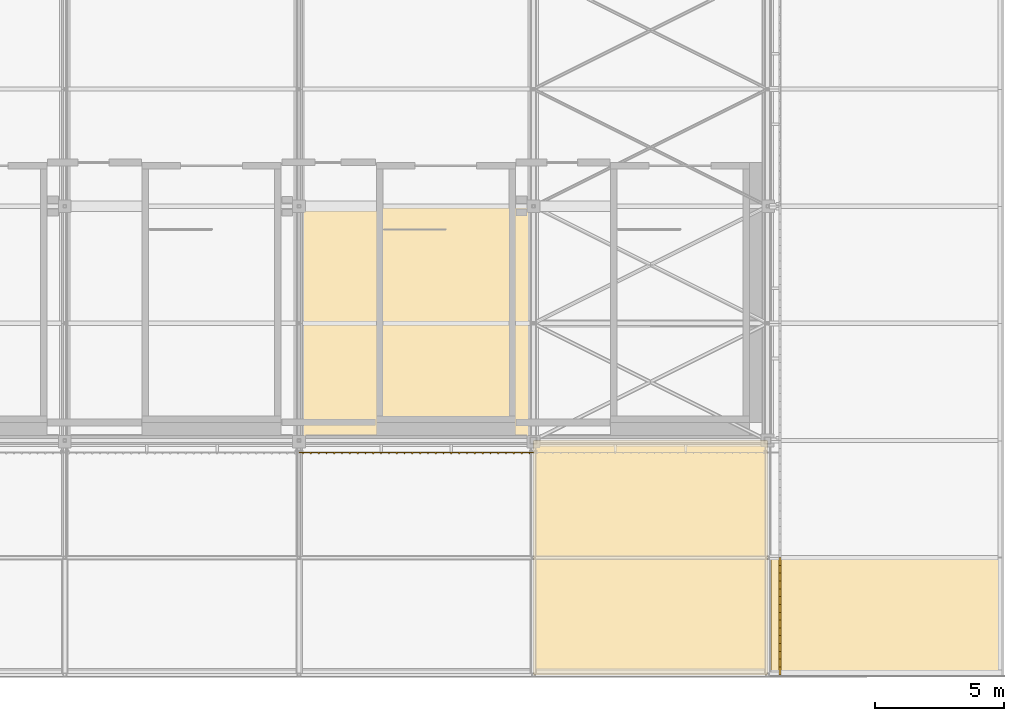
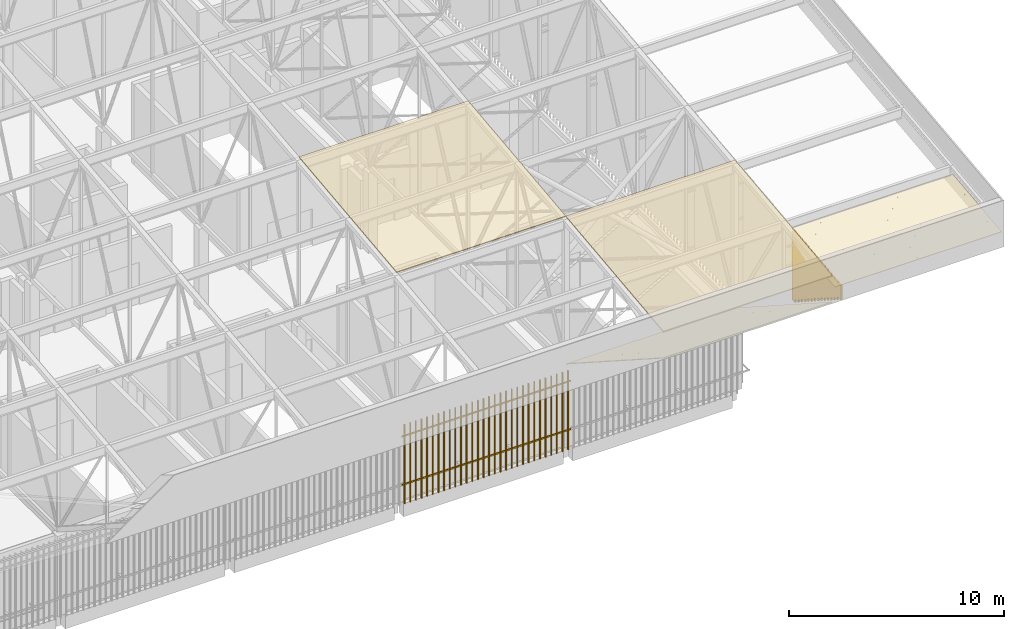
# One storey, part 485 of 500: 4 coverings, 2 shading devices.
"""IFC4 building model written with IfcOpenShell, lengths in metres."""

import ifcopenshell
import ifcopenshell.guid

model = None  # the IFC model being written
_history = None  # IfcOwnerHistory: only IFC2X3 demands one
_inside = {}  # id of a spatial element -> (the spatial element, [elements in it])
_under = {}  # id of a project, library or spatial element -> (it, [spatial elements below it])
_declared = {}  # id of a project -> (the project, [libraries it declares])
_typed = {}  # id of a type object -> (the type object, [elements of that type])
_made_of = {}  # id of a material, layer set ... -> (it, [elements and type objects made of it])


def new_model(schema):
    """Start an empty IFC model of exactly this schema.

    Asked for "IFC4X3", IfcOpenShell would pick the latest addendum, in which some entities
    have other attributes; the version numbers below select the first issue.
    IFC2X3 requires an IfcOwnerHistory on every rooted entity: one is made here for all.
    """
    global model, _history
    if schema == "IFC4X3":
        model = ifcopenshell.file(schema_version=(4, 3, 0, 0))
    else:
        model = ifcopenshell.file(schema=schema)
    _inside.clear()
    _under.clear()
    _declared.clear()
    _typed.clear()
    _made_of.clear()
    _history = None
    if model.schema == "IFC2X3":
        org = make("IfcOrganization", Name="unknown")
        user = make(
            "IfcPersonAndOrganization",
            ThePerson=make("IfcPerson", FamilyName="unknown"),
            TheOrganization=org,
        )
        app = make(
            "IfcApplication",
            ApplicationDeveloper=org,
            Version="unknown",
            ApplicationFullName="unknown",
            ApplicationIdentifier="unknown",
        )
        _history = make(
            "IfcOwnerHistory",
            OwningUser=user,
            OwningApplication=app,
            ChangeAction="ADDED",
            CreationDate=0,
        )
    return model


def make(cls, **values):
    """One entity of the class cls with the attributes given. An attribute that is None is left unset."""
    return model.create_entity(
        cls, **{name: value for name, value in values.items() if value is not None}
    )


def rooted(cls, **values):
    """An entity with a GlobalId (a new one), such as an element, a storey or a relation."""
    return make(cls, GlobalId=ifcopenshell.guid.new(), OwnerHistory=_history, **values)


def si_unit(unit_type, name, prefix=None):
    """IfcSIUnit, for example si_unit("LENGTHUNIT", "METRE", prefix="MILLI")."""
    return make("IfcSIUnit", UnitType=unit_type, Prefix=prefix, Name=name)


def assignment(units):
    """IfcUnitAssignment: the units of a project."""
    return None if units is None else make("IfcUnitAssignment", Units=units)


def point(xyz):
    """IfcCartesianPoint."""
    return None if xyz is None else make("IfcCartesianPoint", Coordinates=xyz)


def direction(xyz):
    """IfcDirection."""
    return None if xyz is None else make("IfcDirection", DirectionRatios=xyz)


def frame(location, z_axis=None, x_axis=None):
    """IfcAxis2Placement3D, a coordinate frame: its origin and axes. An axis left out is left unset."""
    return make(
        "IfcAxis2Placement3D",
        Location=point(location),
        Axis=direction(z_axis),
        RefDirection=direction(x_axis),
    )


def frame_2d(location, x_axis=None):
    """IfcAxis2Placement2D, a coordinate frame in the plane: its origin and x axis."""
    return make(
        "IfcAxis2Placement2D", Location=point(location), RefDirection=direction(x_axis)
    )


def origin():
    """The frame at (0, 0, 0) with its axes left unset."""
    return frame((0.0, 0.0, 0.0))


def origin_2d():
    """The frame at (0, 0) in the plane with its x axis left unset."""
    return frame_2d((0.0, 0.0))


def place(relative_to, where):
    """IfcLocalPlacement: puts the frame where relative to a parent placement (None: the world)."""
    return make(
        "IfcLocalPlacement", PlacementRelTo=relative_to, RelativePlacement=where
    )


def context(
    kind, dimensions, precision=None, world=None, true_north=None, identifier=None
):
    """IfcGeometricRepresentationContext, for example the 3D "Model" context."""
    return make(
        "IfcGeometricRepresentationContext",
        ContextIdentifier=identifier,
        ContextType=kind,
        CoordinateSpaceDimension=dimensions,
        Precision=precision,
        WorldCoordinateSystem=world,
        TrueNorth=true_north,
    )


def subcontext(parent, identifier, kind, view, scale=None):
    """IfcGeometricRepresentationSubContext, for example "Body" below "Model"."""
    return make(
        "IfcGeometricRepresentationSubContext",
        ContextIdentifier=identifier,
        ContextType=kind,
        ParentContext=parent,
        TargetScale=scale,
        TargetView=view,
    )


def project(units=None, contexts=None):
    """IfcProject with its units and contexts."""
    return rooted(
        "IfcProject",
        Name="project",
        RepresentationContexts=contexts,
        UnitsInContext=assignment(units),
    )


def spatial(cls, under=None, at=None, **own):
    """A site, building, storey or space (cls), placed at a placement, below another one or the project."""
    s = rooted(cls, ObjectPlacement=at, **own)
    if under is not None:
        _under.setdefault(under.id(), (under, []))[1].append(s)
    return s


def polyline(points):
    """IfcPolyline through the points."""
    return make("IfcPolyline", Points=[point(p) for p in points])


def profile(cls, at=None, kind="AREA", **sizes):
    """A parametric profile (cls). Its sizes go by their IFC names, for example OverallWidth=200.0."""
    return make(cls, ProfileType=kind, Position=at, **sizes)


def rectangle(**sizes):
    """IfcRectangleProfileDef."""
    return profile("IfcRectangleProfileDef", **sizes)


def outline(outer, holes=None, kind="AREA"):
    """IfcArbitraryClosedProfileDef: a profile drawn as a closed curve; with holes, ...WithVoids."""
    if holes is None:
        return make("IfcArbitraryClosedProfileDef", ProfileType=kind, OuterCurve=outer)
    return make(
        "IfcArbitraryProfileDefWithVoids",
        ProfileType=kind,
        OuterCurve=outer,
        InnerCurves=holes,
    )


def extrude(swept, where, along, depth):
    """IfcExtrudedAreaSolid: the profile swept, set in the frame where, extruded along a direction by depth."""
    return make(
        "IfcExtrudedAreaSolid",
        SweptArea=swept,
        Position=where,
        ExtrudedDirection=direction(along),
        Depth=depth,
    )


def shape(context_of_items, identifier, shape_type, items):
    """IfcShapeRepresentation: the items that make up one representation, for example the "Body"."""
    return make(
        "IfcShapeRepresentation",
        ContextOfItems=context_of_items,
        RepresentationIdentifier=identifier,
        RepresentationType=shape_type,
        Items=items,
    )


def material(Name=None, Category=None):
    """IfcMaterial."""
    return make("IfcMaterial", Name=Name, Category=Category)


def layer(
    of_material, thickness, ventilated=None, Name=None, Category=None, Priority=None
):
    """IfcMaterialLayer: one layer of a wall or slab, of a material (None: an air gap)."""
    return make(
        "IfcMaterialLayer",
        Material=of_material,
        LayerThickness=thickness,
        IsVentilated=ventilated,
        Name=Name,
        Category=Category,
        Priority=Priority,
    )


def layer_set(layers, Name=None):
    """IfcMaterialLayerSet."""
    return make("IfcMaterialLayerSet", MaterialLayers=layers, LayerSetName=Name)


def made_of(thing, what):
    """Note that an element or type object is made of a material, layer set ...; save() writes the relation."""
    if what is not None:
        _made_of.setdefault(what.id(), (what, []))[1].append(thing)
    return thing


def type_object(cls, material=None, **own):
    """A type object (cls), such as IfcWallType, which elements share."""
    return made_of(rooted(cls, **own), material)


def element(
    cls,
    number,
    at=None,
    inside=None,
    cuts=None,
    type_object=None,
    material=None,
    context=None,
    identifier="Body",
    shape_type=None,
    held_by="IfcProductDefinitionShape",
    body=None,
    shapes=None,
    **own,
):
    """One element of the class cls, such as IfcWall. Its Tag is "e" and its number.

    at: its placement. inside: the storey or other place that contains it. cuts: it is an
    opening in that element (IfcRelVoidsElement). A single representation is given by context,
    identifier, shape_type and body (its items); several are given by shapes. held_by: the class
    of the entity that holds the representations. save() writes the other relations.
    """
    e = rooted(cls, Tag="e%d" % number, ObjectPlacement=at, **own)
    if body is not None:
        shapes = [shape(context, identifier, shape_type, body)]
    if shapes is not None:
        e.Representation = make(held_by, Representations=shapes)
    if inside is not None:
        _inside.setdefault(inside.id(), (inside, []))[1].append(e)
    if cuts is not None:
        rooted(
            "IfcRelVoidsElement", RelatingBuildingElement=cuts, RelatedOpeningElement=e
        )
    if type_object is not None:
        _typed.setdefault(type_object.id(), (type_object, []))[1].append(e)
    return made_of(e, material)


def aggregate(whole, parts):
    """IfcRelAggregates: a whole, such as a stair, and the parts it consists of."""
    return rooted("IfcRelAggregates", RelatingObject=whole, RelatedObjects=parts)


def save(model, path):
    """Write the relations noted so far, then the file.

    IfcRelAggregates (storeys below a building ...), IfcRelContainedInSpatialStructure (elements
    in a storey), IfcRelDefinesByType, IfcRelAssociatesMaterial and IfcRelDeclares: one each for
    every whole, place, type object, material and project.
    """
    for whole, parts in _under.values():
        aggregate(whole, parts)
    for where, things in _inside.values():
        rooted(
            "IfcRelContainedInSpatialStructure",
            RelatedElements=things,
            RelatingStructure=where,
        )
    for kind, things in _typed.values():
        rooted("IfcRelDefinesByType", RelatedObjects=things, RelatingType=kind)
    for what, things in _made_of.values():
        rooted("IfcRelAssociatesMaterial", RelatedObjects=things, RelatingMaterial=what)
    for by, libraries in _declared.values():
        rooted("IfcRelDeclares", RelatingContext=by, RelatedDefinitions=libraries)
    model.write(path)


model = new_model("IFC4")

# Units and contexts
model_context = context("Model", 3, precision=1e-05, world=origin(), true_north=direction((0.0, 1.0)))
body_context = subcontext(model_context, "Body", "Model", "MODEL_VIEW")
ifc_project = project(units=[si_unit("LENGTHUNIT", "METRE"), si_unit("AREAUNIT", "SQUARE_METRE"), si_unit("VOLUMEUNIT", "CUBIC_METRE"), si_unit("PLANEANGLEUNIT", "RADIAN"), si_unit("MASSUNIT", "GRAM", prefix="KILO")], contexts=[model_context])

# Site, building, storey
site_placement = place(None, origin())
site = spatial("IfcSite", under=ifc_project, at=site_placement, CompositionType="ELEMENT")
building_placement = place(site_placement, origin())
building = spatial("IfcBuilding", under=site, at=building_placement, Name="Shirokan Park Arena", CompositionType="ELEMENT")
storey_placement = place(building_placement, frame((0.0, 0.0, 29.1201171875)))
storey = spatial("IfcBuildingStorey", under=building, at=storey_placement, Name="L06", CompositionType="ELEMENT", Elevation=29.1201171875)

# Coverings
ifc_material_1 = material(Name="Bituminous roofing membrane")
ifc_layer_1 = layer(ifc_material_1, 0.010009765625, Name="Bituminous roofing membrane")
ifc_material_2 = material(Name="Mineral wool insulation")
ifc_layer_2 = layer(ifc_material_2, 0.050048828125, Name="Mineral wool insulation")
ifc_layer_set_1 = layer_set([ifc_layer_1, ifc_layer_2], Name="Bituminous roofing membrane + Mineral wool insulation")
covering_type_1 = type_object("IfcCoveringType", Name="Roofing membrane 60", PredefinedType="ROOFING", material=ifc_layer_set_1)
for number, where, z_axis, x_axis, name in (
    (1, (127.39990234375, 0.0, 12.9306640625), (0.0, -0.113549598152, 0.993532328996), (1.0, 0.0, 0.0), "Roofing"),
    (2, (136.5, -9.10009765625, 11.890625), (0.0, -0.113549598152, 0.993532328996), (1.0, 0.0, 0.0), "Roofing"),
):
    element("IfcCovering", number, at=place(storey_placement, frame(where, z_axis=z_axis, x_axis=x_axis)), inside=storey, type_object=covering_type_1, Name=name, PredefinedType="ROOFING", context=body_context, shape_type="SweptSolid", body=[
        extrude(outline(polyline([(0.0, 0.0), (9.10009765625, 0.0), (9.10009765625, 9.15933723611117), (0.0, 9.15933723611117), (0.0, 0.0)])), origin(), (0.0, 0.0, -1.0), 0.06005859375),
    ])
ifc_material_3 = material(Name="Timber soffit boards (cedar)", Category="wood")
ifc_layer_3 = layer(ifc_material_3, 0.030029296875)
ifc_layer_set_2 = layer_set([ifc_layer_3], Name="Timber soffit boards (cedar) 30 mm")
covering_type_2 = type_object("IfcCoveringType", Name="Timber boarded soffit panel", PredefinedType="CLADDING", material=ifc_layer_set_2)
covering_1_placement = place(storey_placement, origin())
element("IfcCovering", 3, at=covering_1_placement, inside=storey, type_object=covering_type_2, Name="Eave soffit south bay 16", PredefinedType="CLADDING", context=body_context, shape_type="SweptSolid", body=[
    extrude(outline(polyline([(0.0, 0.0), (0.14269332184794056, 0.0), (0.14269332184794056, -9.099999999999996), (0.0, -9.099999999999996), (0.0, 0.0)])), frame((145.60009765625, -8.97998046875, 10.3037109375), z_axis=(0.0, 0.541090493936, 0.840964373427), x_axis=(0.0, -0.840964373427, 0.541090493936)), (0.0, 0.0, -1.0), 0.030029296875),
    extrude(outline(polyline([(0.0, 0.0), (0.1426933218479412, 0.0), (0.1426933218479412, -9.099999999999994), (0.0, -9.099999999999994), (0.0, 0.0)])), frame((136.5, -0.1201171875, 4.60302734375), z_axis=(0.0, 0.541090493936, 0.840964373427), x_axis=(0.0, 0.840964373427, -0.541090493936)), (0.0, 0.0, -1.0), 0.030029296875),
    extrude(outline(polyline([(0.0, 0.0), (0.12000000000000455, 0.0), (0.12000000000000455, -10.535473996759707), (0.0, -10.535473996759707), (0.0, 0.0)])), frame((145.60009765625, -8.97998046875, 10.3037109375), z_axis=(0.0, 0.541084340558, 0.84096833258), x_axis=(-1.0, 0.0, 0.0)), (0.0, 0.0, -1.0), 0.030029296875),
    extrude(outline(polyline([(0.0, 0.0), (0.12000000000000455, 0.0), (0.12000000000000455, -10.535473996759707), (0.0, -10.535473996759707), (0.0, 0.0)])), frame((136.5, -0.1201171875, 4.60302734375), z_axis=(0.0, 0.541084340558, 0.84096833258), x_axis=(1.0, 0.0, 0.0)), (0.0, 0.0, -1.0), 0.030029296875),
    extrude(outline(polyline([(0.0, 0.0), (10.535473996759709, 0.0), (10.535473996759709, -0.18332999999998378), (0.0, -0.18332999999998378), (0.0, 0.0)])), frame((136.6201171875, -8.97998046875, 10.3037109375), z_axis=(0.0, 0.541084340558, 0.84096833258), x_axis=(0.0, 0.84096833258, -0.541084340558)), (0.0, 0.0, -1.0), 0.030029296875),
    extrude(outline(polyline([(0.0, 0.0), (10.535473996759709, 0.0), (10.535473996759709, -0.3033400000000199), (0.0, -0.3033400000000199), (0.0, 0.0)])), frame((136.80322265625, -8.97998046875, 10.3037109375), z_axis=(0.0, 0.541084340558, 0.84096833258), x_axis=(0.0, 0.84096833258, -0.541084340558)), (0.0, 0.0, -1.0), 0.030029296875),
    extrude(outline(polyline([(0.0, 0.0), (10.535473996759707, 0.0), (10.535473996759707, -0.30332999999998833), (0.0, -0.30332999999998833), (0.0, 0.0)])), frame((137.106689453125, -8.97998046875, 10.3037109375), z_axis=(0.0, 0.541084340558, 0.84096833258), x_axis=(0.0, 0.84096833258, -0.541084340558)), (0.0, 0.0, -1.0), 0.030029296875),
    extrude(outline(polyline([(0.0, 0.0), (10.535473996759707, 0.0), (10.535473996759707, -0.3033300000000167), (0.0, -0.3033300000000167), (0.0, 0.0)])), frame((137.409912109375, -8.97998046875, 10.3037109375), z_axis=(0.0, 0.541084340558, 0.84096833258), x_axis=(0.0, 0.84096833258, -0.541084340558)), (0.0, 0.0, -1.0), 0.030029296875),
    extrude(outline(polyline([(0.0, 0.0), (10.535473996759707, 0.0), (10.535473996759707, -0.3033399999999915), (0.0, -0.3033399999999915), (0.0, 0.0)])), frame((137.71337890625, -8.97998046875, 10.3037109375), z_axis=(0.0, 0.541084340558, 0.84096833258), x_axis=(0.0, 0.84096833258, -0.541084340558)), (0.0, 0.0, -1.0), 0.030029296875),
    extrude(outline(polyline([(0.0, 0.0), (10.535473996759707, 0.0), (10.535473996759707, -0.30332999999998833), (0.0, -0.30332999999998833), (0.0, 0.0)])), frame((138.0166015625, -8.97998046875, 10.3037109375), z_axis=(0.0, 0.541084340558, 0.84096833258), x_axis=(0.0, 0.84096833258, -0.541084340558)), (0.0, 0.0, -1.0), 0.030029296875),
    extrude(outline(polyline([(0.0, 0.0), (10.535473996759707, 0.0), (10.535473996759707, -0.30333000000001675), (0.0, -0.30333000000001675), (0.0, 0.0)])), frame((138.320068359375, -8.97998046875, 10.3037109375), z_axis=(0.0, 0.541084340558, 0.84096833258), x_axis=(0.0, 0.84096833258, -0.541084340558)), (0.0, 0.0, -1.0), 0.030029296875),
    extrude(outline(polyline([(0.0, 0.0), (10.535473996759707, 0.0), (10.535473996759707, -0.3033399999999915), (0.0, -0.3033399999999915), (0.0, 0.0)])), frame((138.623291015625, -8.97998046875, 10.3037109375), z_axis=(0.0, 0.541084340558, 0.84096833258), x_axis=(0.0, 0.84096833258, -0.541084340558)), (0.0, 0.0, -1.0), 0.030029296875),
    extrude(outline(polyline([(0.0, 0.0), (10.535473996759707, 0.0), (10.535473996759707, -0.30332999999998833), (0.0, -0.30332999999998833), (0.0, 0.0)])), frame((138.9267578125, -8.97998046875, 10.3037109375), z_axis=(0.0, 0.541084340558, 0.84096833258), x_axis=(0.0, 0.84096833258, -0.541084340558)), (0.0, 0.0, -1.0), 0.030029296875),
    extrude(outline(polyline([(0.0, 0.0), (10.535473996759707, 0.0), (10.535473996759707, -0.30333000000001675), (0.0, -0.30333000000001675), (0.0, 0.0)])), frame((139.22998046875, -8.97998046875, 10.3037109375), z_axis=(0.0, 0.541084340558, 0.84096833258), x_axis=(0.0, 0.84096833258, -0.541084340558)), (0.0, 0.0, -1.0), 0.030029296875),
    extrude(outline(polyline([(0.0, 0.0), (10.535473996759707, 0.0), (10.535473996759707, -0.3033399999999915), (0.0, -0.3033399999999915), (0.0, 0.0)])), frame((139.533447265625, -8.97998046875, 10.3037109375), z_axis=(0.0, 0.541084340558, 0.84096833258), x_axis=(0.0, 0.84096833258, -0.541084340558)), (0.0, 0.0, -1.0), 0.030029296875),
    extrude(outline(polyline([(0.0, 0.0), (10.535473996759707, 0.0), (10.535473996759707, -0.30332999999998833), (0.0, -0.30332999999998833), (0.0, 0.0)])), frame((139.836669921875, -8.97998046875, 10.3037109375), z_axis=(0.0, 0.541084340558, 0.84096833258), x_axis=(0.0, 0.84096833258, -0.541084340558)), (0.0, 0.0, -1.0), 0.030029296875),
    extrude(outline(polyline([(0.0, 0.0), (10.535473996759707, 0.0), (10.535473996759707, -0.30333000000001675), (0.0, -0.30333000000001675), (0.0, 0.0)])), frame((140.139892578125, -8.97998046875, 10.3037109375), z_axis=(0.0, 0.541084340558, 0.84096833258), x_axis=(0.0, 0.84096833258, -0.541084340558)), (0.0, 0.0, -1.0), 0.030029296875),
    extrude(outline(polyline([(0.0, 0.0), (10.535473996759707, 0.0), (10.535473996759707, -0.3033399999999915), (0.0, -0.3033399999999915), (0.0, 0.0)])), frame((140.443359375, -8.97998046875, 10.3037109375), z_axis=(0.0, 0.541084340558, 0.84096833258), x_axis=(0.0, 0.84096833258, -0.541084340558)), (0.0, 0.0, -1.0), 0.030029296875),
    extrude(outline(polyline([(0.0, 0.0), (10.535473996759707, 0.0), (10.535473996759707, -0.30333000000001675), (0.0, -0.30333000000001675), (0.0, 0.0)])), frame((140.74658203125, -8.97998046875, 10.3037109375), z_axis=(0.0, 0.541084340558, 0.84096833258), x_axis=(0.0, 0.84096833258, -0.541084340558)), (0.0, 0.0, -1.0), 0.030029296875),
    extrude(outline(polyline([(0.0, 0.0), (10.535473996759707, 0.0), (10.535473996759707, -0.30332999999998833), (0.0, -0.30332999999998833), (0.0, 0.0)])), frame((141.050048828125, -8.97998046875, 10.3037109375), z_axis=(0.0, 0.541084340558, 0.84096833258), x_axis=(0.0, 0.84096833258, -0.541084340558)), (0.0, 0.0, -1.0), 0.030029296875),
    extrude(outline(polyline([(0.0, 0.0), (10.535473996759707, 0.0), (10.535473996759707, -0.3033399999999915), (0.0, -0.3033399999999915), (0.0, 0.0)])), frame((141.353271484375, -8.97998046875, 10.3037109375), z_axis=(0.0, 0.541084340558, 0.84096833258), x_axis=(0.0, 0.84096833258, -0.541084340558)), (0.0, 0.0, -1.0), 0.030029296875),
    extrude(outline(polyline([(0.0, 0.0), (10.535473996759707, 0.0), (10.535473996759707, -0.30333000000001675), (0.0, -0.30333000000001675), (0.0, 0.0)])), frame((141.65673828125, -8.97998046875, 10.3037109375), z_axis=(0.0, 0.541084340558, 0.84096833258), x_axis=(0.0, 0.84096833258, -0.541084340558)), (0.0, 0.0, -1.0), 0.030029296875),
    extrude(outline(polyline([(0.0, 0.0), (10.535473996759707, 0.0), (10.535473996759707, -0.30332999999998833), (0.0, -0.30332999999998833), (0.0, 0.0)])), frame((141.9599609375, -8.97998046875, 10.3037109375), z_axis=(0.0, 0.541084340558, 0.84096833258), x_axis=(0.0, 0.84096833258, -0.541084340558)), (0.0, 0.0, -1.0), 0.030029296875),
    extrude(outline(polyline([(0.0, 0.0), (10.535473996759707, 0.0), (10.535473996759707, -0.3033399999999915), (0.0, -0.3033399999999915), (0.0, 0.0)])), frame((142.263427734375, -8.97998046875, 10.3037109375), z_axis=(0.0, 0.541084340558, 0.84096833258), x_axis=(0.0, 0.84096833258, -0.541084340558)), (0.0, 0.0, -1.0), 0.030029296875),
    extrude(outline(polyline([(0.0, 0.0), (10.535473996759707, 0.0), (10.535473996759707, -0.30333000000001675), (0.0, -0.30333000000001675), (0.0, 0.0)])), frame((142.566650390625, -8.97998046875, 10.3037109375), z_axis=(0.0, 0.541084340558, 0.84096833258), x_axis=(0.0, 0.84096833258, -0.541084340558)), (0.0, 0.0, -1.0), 0.030029296875),
    extrude(outline(polyline([(0.0, 0.0), (10.535473996759707, 0.0), (10.535473996759707, -0.30332999999998833), (0.0, -0.30332999999998833), (0.0, 0.0)])), frame((142.8701171875, -8.97998046875, 10.3037109375), z_axis=(0.0, 0.541084340558, 0.84096833258), x_axis=(0.0, 0.84096833258, -0.541084340558)), (0.0, 0.0, -1.0), 0.030029296875),
    extrude(outline(polyline([(0.0, 0.0), (10.535473996759709, 0.0), (10.535473996759709, -0.3033400000000199), (0.0, -0.3033400000000199), (0.0, 0.0)])), frame((143.17333984375, -8.97998046875, 10.3037109375), z_axis=(0.0, 0.541084340558, 0.84096833258), x_axis=(0.0, 0.84096833258, -0.541084340558)), (0.0, 0.0, -1.0), 0.030029296875),
    extrude(outline(polyline([(0.0, 0.0), (10.535473996759707, 0.0), (10.535473996759707, -0.30332999999998833), (0.0, -0.30332999999998833), (0.0, 0.0)])), frame((143.4765625, -8.97998046875, 10.3037109375), z_axis=(0.0, 0.541084340558, 0.84096833258), x_axis=(0.0, 0.84096833258, -0.541084340558)), (0.0, 0.0, -1.0), 0.030029296875),
    extrude(outline(polyline([(0.0, 0.0), (10.535473996759707, 0.0), (10.535473996759707, -0.30332999999998833), (0.0, -0.30332999999998833), (0.0, 0.0)])), frame((143.780029296875, -8.97998046875, 10.3037109375), z_axis=(0.0, 0.541084340558, 0.84096833258), x_axis=(0.0, 0.84096833258, -0.541084340558)), (0.0, 0.0, -1.0), 0.030029296875),
    extrude(outline(polyline([(0.0, 0.0), (10.535473996759709, 0.0), (10.535473996759709, -0.3033400000000199), (0.0, -0.3033400000000199), (0.0, 0.0)])), frame((144.083251953125, -8.97998046875, 10.3037109375), z_axis=(0.0, 0.541084340558, 0.84096833258), x_axis=(0.0, 0.84096833258, -0.541084340558)), (0.0, 0.0, -1.0), 0.030029296875),
    extrude(outline(polyline([(0.0, 0.0), (10.535473996759707, 0.0), (10.535473996759707, -0.30332999999998833), (0.0, -0.30332999999998833), (0.0, 0.0)])), frame((144.38671875, -8.97998046875, 10.3037109375), z_axis=(0.0, 0.541084340558, 0.84096833258), x_axis=(0.0, 0.84096833258, -0.541084340558)), (0.0, 0.0, -1.0), 0.030029296875),
    extrude(outline(polyline([(0.0, 0.0), (10.535473996759707, 0.0), (10.535473996759707, -0.30332999999998833), (0.0, -0.30332999999998833), (0.0, 0.0)])), frame((144.68994140625, -8.97998046875, 10.3037109375), z_axis=(0.0, 0.541084340558, 0.84096833258), x_axis=(0.0, 0.84096833258, -0.541084340558)), (0.0, 0.0, -1.0), 0.030029296875),
    extrude(outline(polyline([(0.0, 0.0), (10.535473996759709, 0.0), (10.535473996759709, -0.3033400000000199), (0.0, -0.3033400000000199), (0.0, 0.0)])), frame((144.993408203125, -8.97998046875, 10.3037109375), z_axis=(0.0, 0.541084340558, 0.84096833258), x_axis=(0.0, 0.84096833258, -0.541084340558)), (0.0, 0.0, -1.0), 0.030029296875),
    extrude(outline(polyline([(0.0, 0.0), (10.535473996759709, 0.0), (10.535473996759709, -0.18332999999998378), (0.0, -0.18332999999998378), (0.0, 0.0)])), frame((145.296630859375, -8.97998046875, 10.3037109375), z_axis=(0.0, 0.541084340558, 0.84096833258), x_axis=(0.0, 0.84096833258, -0.541084340558)), (0.0, 0.0, -1.0), 0.030029296875),
])
covering_2_placement = place(storey_placement, origin())
element("IfcCovering", 4, at=covering_2_placement, inside=storey, type_object=covering_type_2, Name="Rake soffit east bay 1", PredefinedType="CLADDING", context=body_context, shape_type="SweptSolid", body=[
    extrude(outline(polyline([(0.0, 0.0), (0.12000000000000455, 0.0), (0.12000000000000455, -4.579617887990221), (0.0, -4.579617887990221), (0.0, 0.0)])), frame((145.846923828125, -9.10009765625, 11.181884765625), z_axis=(0.0, -0.113546591161, 0.993532672656), x_axis=(-1.0, 0.0, 0.0)), (0.0, 0.0, -1.0), 0.030029296875),
    extrude(outline(polyline([(0.0, 0.0), (0.11999999999997613, 0.0), (0.11999999999997613, -4.57961788799022), (0.0, -4.57961788799022), (0.0, 0.0)])), frame((154.580078125, -4.550048828125, 11.701904296875), z_axis=(0.0, -0.113546591161, 0.993532672656), x_axis=(1.0, 0.0, 0.0)), (0.0, 0.0, -1.0), 0.030029296875),
    extrude(outline(polyline([(0.0, 0.0), (0.12078064455863827, 0.0), (0.12078064455863827, -8.733000000000002), (0.0, -8.733000000000002), (0.0, 0.0)])), frame((154.580078125, -4.550048828125, 11.701904296875), z_axis=(0.0, -0.11351156512, 0.993536675007), x_axis=(0.0, -0.993536675007, -0.11351156512)), (0.0, 0.0, -1.0), 0.030029296875),
    extrude(outline(polyline([(0.0, 0.0), (0.12078064455863738, 0.0), (0.12078064455863738, -8.733000000000002), (0.0, -8.733000000000002), (0.0, 0.0)])), frame((145.846923828125, -9.10009765625, 11.181884765625), z_axis=(0.0, -0.11351156512, 0.993536675007), x_axis=(0.0, 0.993536675007, 0.11351156512)), (0.0, 0.0, -1.0), 0.030029296875),
    extrude(outline(polyline([(0.0, 0.0), (8.733000000000004, 0.0), (8.733000000000004, -0.1845242816000098), (0.0, -0.1845242816000098), (0.0, 0.0)])), frame((154.580078125, -8.97998046875, 11.195556640625), z_axis=(0.0, -0.113589386818, 0.99352778079), x_axis=(-1.0, 0.0, 0.0)), (0.0, 0.0, -1.0), 0.030029296875),
    extrude(outline(polyline([(0.0, 0.0), (8.733000000000004, 0.0), (8.733000000000004, -0.3053137258624322), (0.0, -0.3053137258624322), (0.0, 0.0)])), frame((154.580078125, -8.796630859375, 11.216552734375), z_axis=(0.0, -0.113522573877, 0.993535417195), x_axis=(-1.0, 0.0, 0.0)), (0.0, 0.0, -1.0), 0.030029296875),
    extrude(outline(polyline([(0.0, 0.0), (8.733000000000004, 0.0), (8.733000000000004, -0.30530492593471265), (0.0, -0.30530492593471265), (0.0, 0.0)])), frame((154.580078125, -8.493408203125, 11.251220703125), z_axis=(0.0, -0.113558600124, 0.99353130013), x_axis=(-1.0, 0.0, 0.0)), (0.0, 0.0, -1.0), 0.030029296875),
    extrude(outline(polyline([(0.0, 0.0), (8.733000000000004, 0.0), (8.733000000000004, -0.30530492593471176), (0.0, -0.30530492593471176), (0.0, 0.0)])), frame((154.580078125, -8.18994140625, 11.285888671875), z_axis=(0.0, -0.113558600124, 0.99353130013), x_axis=(-1.0, 0.0, 0.0)), (0.0, 0.0, -1.0), 0.030029296875),
    extrude(outline(polyline([(0.0, 0.0), (8.733000000000004, 0.0), (8.733000000000004, -0.30531372586243133), (0.0, -0.30531372586243133), (0.0, 0.0)])), frame((154.580078125, -7.88671875, 11.320556640625), z_axis=(0.0, -0.113522573877, 0.993535417195), x_axis=(-1.0, 0.0, 0.0)), (0.0, 0.0, -1.0), 0.030029296875),
    extrude(outline(polyline([(0.0, 0.0), (8.733000000000004, 0.0), (8.733000000000004, -0.3053049259347117), (0.0, -0.3053049259347117), (0.0, 0.0)])), frame((154.580078125, -7.583251953125, 11.355224609375), z_axis=(0.0, -0.113558600124, 0.99353130013), x_axis=(-1.0, 0.0, 0.0)), (0.0, 0.0, -1.0), 0.030029296875),
    extrude(outline(polyline([(0.0, 0.0), (8.733000000000004, 0.0), (8.733000000000004, -0.30530492593471253), (0.0, -0.30530492593471253), (0.0, 0.0)])), frame((154.580078125, -7.280029296875, 11.389892578125), z_axis=(0.0, -0.113558600124, 0.99353130013), x_axis=(-1.0, 0.0, 0.0)), (0.0, 0.0, -1.0), 0.030029296875),
    extrude(outline(polyline([(0.0, 0.0), (8.733000000000004, 0.0), (8.733000000000004, -0.3053137258624314), (0.0, -0.3053137258624314), (0.0, 0.0)])), frame((154.580078125, -6.9765625, 11.424560546875), z_axis=(0.0, -0.113522573877, 0.993535417195), x_axis=(-1.0, 0.0, 0.0)), (0.0, 0.0, -1.0), 0.030029296875),
    extrude(outline(polyline([(0.0, 0.0), (8.733000000000004, 0.0), (8.733000000000004, -0.3053049259347117), (0.0, -0.3053049259347117), (0.0, 0.0)])), frame((154.580078125, -6.67333984375, 11.459228515625), z_axis=(0.0, -0.113558600124, 0.99353130013), x_axis=(-1.0, 0.0, 0.0)), (0.0, 0.0, -1.0), 0.030029296875),
    extrude(outline(polyline([(0.0, 0.0), (8.733000000000004, 0.0), (8.733000000000004, -0.30530492593471253), (0.0, -0.30530492593471253), (0.0, 0.0)])), frame((154.580078125, -6.3701171875, 11.493896484375), z_axis=(0.0, -0.113558600124, 0.99353130013), x_axis=(-1.0, 0.0, 0.0)), (0.0, 0.0, -1.0), 0.030029296875),
    extrude(outline(polyline([(0.0, 0.0), (8.733000000000004, 0.0), (8.733000000000004, -0.3053137258624314), (0.0, -0.3053137258624314), (0.0, 0.0)])), frame((154.580078125, -6.066650390625, 11.528564453125), z_axis=(0.0, -0.113522573877, 0.993535417195), x_axis=(-1.0, 0.0, 0.0)), (0.0, 0.0, -1.0), 0.030029296875),
    extrude(outline(polyline([(0.0, 0.0), (8.733000000000004, 0.0), (8.733000000000004, -0.30530492593471253), (0.0, -0.30530492593471253), (0.0, 0.0)])), frame((154.580078125, -5.763427734375, 11.563232421875), z_axis=(0.0, -0.113558600124, 0.99353130013), x_axis=(-1.0, 0.0, 0.0)), (0.0, 0.0, -1.0), 0.030029296875),
    extrude(outline(polyline([(0.0, 0.0), (8.733000000000004, 0.0), (8.733000000000004, -0.3053049259347117), (0.0, -0.3053049259347117), (0.0, 0.0)])), frame((154.580078125, -5.4599609375, 11.597900390625), z_axis=(0.0, -0.113558600124, 0.99353130013), x_axis=(-1.0, 0.0, 0.0)), (0.0, 0.0, -1.0), 0.030029296875),
    extrude(outline(polyline([(0.0, 0.0), (8.733000000000004, 0.0), (8.733000000000004, -0.3053137258624314), (0.0, -0.3053137258624314), (0.0, 0.0)])), frame((154.580078125, -5.15673828125, 11.632568359375), z_axis=(0.0, -0.113522573877, 0.993535417195), x_axis=(-1.0, 0.0, 0.0)), (0.0, 0.0, -1.0), 0.030029296875),
    extrude(outline(polyline([(0.0, 0.0), (0.1845242816000106, 0.0), (0.1845242816000106, -8.733000000000004), (0.0, -8.733000000000004), (0.0, 0.0)])), frame((154.580078125, -4.669921875, 11.688232421875), z_axis=(0.0, -0.113589386818, 0.99352778079), x_axis=(0.0, -0.99352778079, -0.113589386818)), (0.0, 0.0, -1.0), 0.030029296875),
])

# Shading devices
ifc_material_4 = material(Name="Timber louvre veil (cedar)", Category="wood")
shading_device_type_1 = type_object("IfcShadingDeviceType", Name="Timber louvre veil panel", PredefinedType="JALOUSIE", material=ifc_material_4)
shading_device_1_placement = place(storey_placement, origin())
element("IfcShadingDevice", 5, at=shading_device_1_placement, inside=storey, type_object=shading_device_type_1, Name="Timber louvre veil south bay 15 L06", PredefinedType="JALOUSIE", context=body_context, shape_type="SweptSolid", body=[
    extrude(rectangle(XDim=0.050048828125, YDim=0.080078125, at=origin_2d()), frame((127.5517578125, -0.485107421875, 0.0), z_axis=(0.0, 0.0, 1.0), x_axis=(1.0, 0.0, 0.0)), (0.0, 0.0, 1.0), 4.5),
    extrude(rectangle(XDim=0.050048828125, YDim=0.080078125, at=origin_2d()), frame((127.85498046875, -0.485107421875, 0.0), z_axis=(0.0, 0.0, 1.0), x_axis=(1.0, 0.0, 0.0)), (0.0, 0.0, 1.0), 4.5),
    extrude(rectangle(XDim=0.050048828125, YDim=0.080078125, at=origin_2d()), frame((128.158447265625, -0.485107421875, 0.0), z_axis=(0.0, 0.0, 1.0), x_axis=(1.0, 0.0, 0.0)), (0.0, 0.0, 1.0), 4.5),
    extrude(rectangle(XDim=0.050048828125, YDim=0.080078125, at=origin_2d()), frame((128.461669921875, -0.485107421875, 0.0), z_axis=(0.0, 0.0, 1.0), x_axis=(1.0, 0.0, 0.0)), (0.0, 0.0, 1.0), 4.5),
    extrude(rectangle(XDim=0.050048828125, YDim=0.080078125, at=origin_2d()), frame((128.764892578125, -0.485107421875, 0.0), z_axis=(0.0, 0.0, 1.0), x_axis=(1.0, 0.0, 0.0)), (0.0, 0.0, 1.0), 4.5),
    extrude(rectangle(XDim=0.050048828125, YDim=0.080078125, at=origin_2d()), frame((129.068359375, -0.485107421875, 0.0), z_axis=(0.0, 0.0, 1.0), x_axis=(1.0, 0.0, 0.0)), (0.0, 0.0, 1.0), 4.5),
    extrude(rectangle(XDim=0.050048828125, YDim=0.080078125, at=origin_2d()), frame((129.37158203125, -0.485107421875, 0.0), z_axis=(0.0, 0.0, 1.0), x_axis=(1.0, 0.0, 0.0)), (0.0, 0.0, 1.0), 4.5),
    extrude(rectangle(XDim=0.050048828125, YDim=0.080078125, at=origin_2d()), frame((129.675048828125, -0.485107421875, 0.0), z_axis=(0.0, 0.0, 1.0), x_axis=(1.0, 0.0, 0.0)), (0.0, 0.0, 1.0), 4.5),
    extrude(rectangle(XDim=0.050048828125, YDim=0.080078125, at=origin_2d()), frame((129.978271484375, -0.485107421875, 0.0), z_axis=(0.0, 0.0, 1.0), x_axis=(1.0, 0.0, 0.0)), (0.0, 0.0, 1.0), 4.5),
    extrude(rectangle(XDim=0.050048828125, YDim=0.080078125, at=origin_2d()), frame((130.28173828125, -0.485107421875, 0.0), z_axis=(0.0, 0.0, 1.0), x_axis=(1.0, 0.0, 0.0)), (0.0, 0.0, 1.0), 4.5),
    extrude(rectangle(XDim=0.050048828125, YDim=0.080078125, at=origin_2d()), frame((130.5849609375, -0.485107421875, 0.0), z_axis=(0.0, 0.0, 1.0), x_axis=(1.0, 0.0, 0.0)), (0.0, 0.0, 1.0), 4.5),
    extrude(rectangle(XDim=0.050048828125, YDim=0.080078125, at=origin_2d()), frame((130.888427734375, -0.485107421875, 0.0), z_axis=(0.0, 0.0, 1.0), x_axis=(1.0, 0.0, 0.0)), (0.0, 0.0, 1.0), 4.5),
    extrude(rectangle(XDim=0.050048828125, YDim=0.080078125, at=origin_2d()), frame((131.191650390625, -0.485107421875, 0.0), z_axis=(0.0, 0.0, 1.0), x_axis=(1.0, 0.0, 0.0)), (0.0, 0.0, 1.0), 4.5),
    extrude(rectangle(XDim=0.050048828125, YDim=0.080078125, at=origin_2d()), frame((131.4951171875, -0.485107421875, 0.0), z_axis=(0.0, 0.0, 1.0), x_axis=(1.0, 0.0, 0.0)), (0.0, 0.0, 1.0), 4.5),
    extrude(rectangle(XDim=0.050048828125, YDim=0.080078125, at=origin_2d()), frame((131.79833984375, -0.485107421875, 0.0), z_axis=(0.0, 0.0, 1.0), x_axis=(1.0, 0.0, 0.0)), (0.0, 0.0, 1.0), 4.5),
    extrude(rectangle(XDim=0.050048828125, YDim=0.080078125, at=origin_2d()), frame((132.1015625, -0.485107421875, 0.0), z_axis=(0.0, 0.0, 1.0), x_axis=(1.0, 0.0, 0.0)), (0.0, 0.0, 1.0), 4.5),
    extrude(rectangle(XDim=0.050048828125, YDim=0.080078125, at=origin_2d()), frame((132.405029296875, -0.485107421875, 0.0), z_axis=(0.0, 0.0, 1.0), x_axis=(1.0, 0.0, 0.0)), (0.0, 0.0, 1.0), 4.5),
    extrude(rectangle(XDim=0.050048828125, YDim=0.080078125, at=origin_2d()), frame((132.708251953125, -0.485107421875, 0.0), z_axis=(0.0, 0.0, 1.0), x_axis=(1.0, 0.0, 0.0)), (0.0, 0.0, 1.0), 4.5),
    extrude(rectangle(XDim=0.050048828125, YDim=0.080078125, at=origin_2d()), frame((133.01171875, -0.485107421875, 0.0), z_axis=(0.0, 0.0, 1.0), x_axis=(1.0, 0.0, 0.0)), (0.0, 0.0, 1.0), 4.5),
    extrude(rectangle(XDim=0.050048828125, YDim=0.080078125, at=origin_2d()), frame((133.31494140625, -0.485107421875, 0.0), z_axis=(0.0, 0.0, 1.0), x_axis=(1.0, 0.0, 0.0)), (0.0, 0.0, 1.0), 4.5),
    extrude(rectangle(XDim=0.050048828125, YDim=0.080078125, at=origin_2d()), frame((133.618408203125, -0.485107421875, 0.0), z_axis=(0.0, 0.0, 1.0), x_axis=(1.0, 0.0, 0.0)), (0.0, 0.0, 1.0), 4.5),
    extrude(rectangle(XDim=0.050048828125, YDim=0.080078125, at=origin_2d()), frame((133.921630859375, -0.485107421875, 0.0), z_axis=(0.0, 0.0, 1.0), x_axis=(1.0, 0.0, 0.0)), (0.0, 0.0, 1.0), 4.5),
    extrude(rectangle(XDim=0.050048828125, YDim=0.080078125, at=origin_2d()), frame((134.22509765625, -0.485107421875, 0.0), z_axis=(0.0, 0.0, 1.0), x_axis=(1.0, 0.0, 0.0)), (0.0, 0.0, 1.0), 4.5),
    extrude(rectangle(XDim=0.050048828125, YDim=0.080078125, at=origin_2d()), frame((134.5283203125, -0.485107421875, 0.0), z_axis=(0.0, 0.0, 1.0), x_axis=(1.0, 0.0, 0.0)), (0.0, 0.0, 1.0), 4.5),
    extrude(rectangle(XDim=0.050048828125, YDim=0.080078125, at=origin_2d()), frame((134.831787109375, -0.485107421875, 0.0), z_axis=(0.0, 0.0, 1.0), x_axis=(1.0, 0.0, 0.0)), (0.0, 0.0, 1.0), 4.5),
    extrude(rectangle(XDim=0.050048828125, YDim=0.080078125, at=origin_2d()), frame((135.135009765625, -0.485107421875, 0.0), z_axis=(0.0, 0.0, 1.0), x_axis=(1.0, 0.0, 0.0)), (0.0, 0.0, 1.0), 4.5),
    extrude(rectangle(XDim=0.050048828125, YDim=0.080078125, at=origin_2d()), frame((135.438232421875, -0.485107421875, 0.0), z_axis=(0.0, 0.0, 1.0), x_axis=(1.0, 0.0, 0.0)), (0.0, 0.0, 1.0), 4.5),
    extrude(rectangle(XDim=0.050048828125, YDim=0.080078125, at=origin_2d()), frame((135.74169921875, -0.485107421875, 0.0), z_axis=(0.0, 0.0, 1.0), x_axis=(1.0, 0.0, 0.0)), (0.0, 0.0, 1.0), 4.5),
    extrude(rectangle(XDim=0.050048828125, YDim=0.080078125, at=origin_2d()), frame((136.044921875, -0.485107421875, 0.0), z_axis=(0.0, 0.0, 1.0), x_axis=(1.0, 0.0, 0.0)), (0.0, 0.0, 1.0), 4.5),
    extrude(rectangle(XDim=0.050048828125, YDim=0.080078125, at=origin_2d()), frame((136.348388671875, -0.485107421875, 0.0), z_axis=(0.0, 0.0, 1.0), x_axis=(1.0, 0.0, 0.0)), (0.0, 0.0, 1.0), 4.5),
    extrude(rectangle(XDim=9.10009765625, YDim=0.050048828125, at=origin_2d()), frame((131.949951171875, -0.469970703125, 1.059814453125), z_axis=(0.0, 0.0, 1.0), x_axis=(1.0, 0.0, 0.0)), (0.0, 0.0, 1.0), 0.080078125),
    extrude(rectangle(XDim=9.10009765625, YDim=0.050048828125, at=origin_2d()), frame((131.949951171875, -0.469970703125, 3.809814453125), z_axis=(0.0, 0.0, 1.0), x_axis=(1.0, 0.0, 0.0)), (0.0, 0.0, 1.0), 0.080078125),
])
shading_device_type_2 = type_object("IfcShadingDeviceType", Name="Timber louvre veil panel, gable band, closed", PredefinedType="JALOUSIE", material=ifc_material_4)
shading_device_2_placement = place(storey_placement, origin())
element("IfcShadingDevice", 6, at=shading_device_2_placement, inside=storey, type_object=shading_device_type_2, Name="Timber louvre veil gable band east bay 1", PredefinedType="JALOUSIE", context=body_context, shape_type="SweptSolid", body=[
    extrude(outline(polyline([(-6.9765625, 8.967041015625), (-6.67333984375, 8.967041015625), (-6.67333984375, 8.77197265625), (-6.3701171875, 8.77197265625), (-6.3701171875, 8.576904296875), (-6.066650390625, 8.576904296875), (-6.066650390625, 8.381591796875), (-5.763427734375, 8.381591796875), (-5.763427734375, 8.1865234375), (-5.4599609375, 8.1865234375), (-5.4599609375, 7.9912109375), (-5.15673828125, 7.9912109375), (-5.15673828125, 7.796142578125), (-4.853271484375, 7.796142578125), (-4.853271484375, 7.600830078125), (-4.550048828125, 7.600830078125), (-4.550048828125, 11.63720703125), (-4.853271484375, 11.63720703125), (-4.853271484375, 11.6025390625), (-5.15673828125, 11.6025390625), (-5.15673828125, 11.56787109375), (-5.4599609375, 11.56787109375), (-5.4599609375, 11.533203125), (-5.763427734375, 11.533203125), (-5.763427734375, 11.49853515625), (-6.066650390625, 11.49853515625), (-6.066650390625, 11.4638671875), (-6.3701171875, 11.4638671875), (-6.3701171875, 11.42919921875), (-6.67333984375, 11.42919921875), (-6.67333984375, 11.39453125), (-6.9765625, 11.39453125), (-6.9765625, 11.35986328125), (-7.280029296875, 11.35986328125), (-7.280029296875, 11.3251953125), (-7.583251953125, 11.3251953125), (-7.583251953125, 11.29052734375), (-7.88671875, 11.29052734375), (-7.88671875, 11.255859375), (-8.18994140625, 11.255859375), (-8.18994140625, 11.22119140625), (-8.493408203125, 11.22119140625), (-8.493408203125, 11.1865234375), (-8.796630859375, 11.1865234375), (-8.796630859375, 11.15185546875), (-9.10009765625, 11.15185546875), (-9.10009765625, 10.333251953125), (-8.796630859375, 10.333251953125), (-8.796630859375, 10.13818359375), (-8.493408203125, 10.13818359375), (-8.493408203125, 9.94287109375), (-8.18994140625, 9.94287109375), (-8.18994140625, 9.747802734375), (-7.88671875, 9.747802734375), (-7.88671875, 9.552734375), (-7.583251953125, 9.552734375), (-7.583251953125, 9.357421875), (-7.280029296875, 9.357421875), (-7.280029296875, 9.162353515625), (-6.9765625, 9.162353515625), (-6.9765625, 8.967041015625)])), frame((146.044921875, 0.0, 0.0), z_axis=(1.0, 0.0, 0.0), x_axis=(0.0, 1.0, 0.0)), (0.0, 0.0, 1.0), 0.080078125),
    extrude(rectangle(XDim=0.050048828125, YDim=4.550048828125, at=origin_2d()), frame((146.070068359375, -6.824951171875, 10.70263671875), z_axis=(0.0, 0.0, 1.0), x_axis=(1.0, 0.0, 0.0)), (0.0, 0.0, 1.0), 0.080078125),
])

save(model, "model.ifc")
